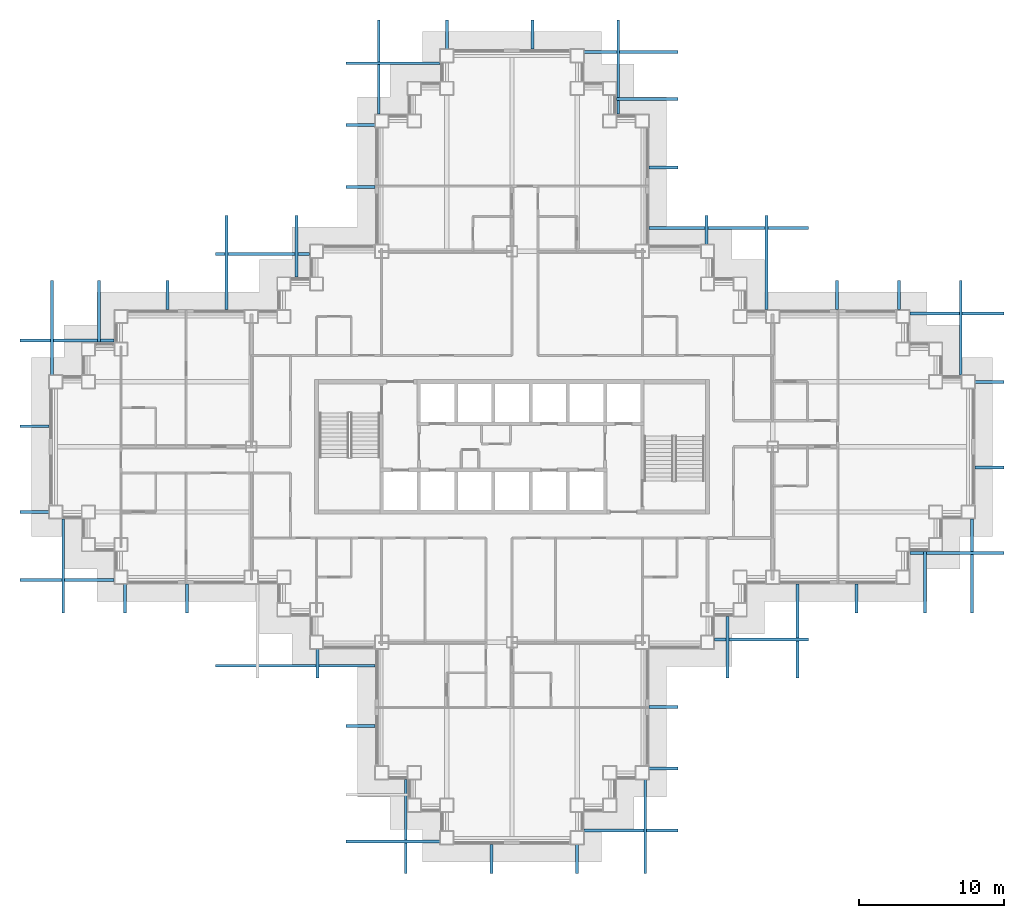
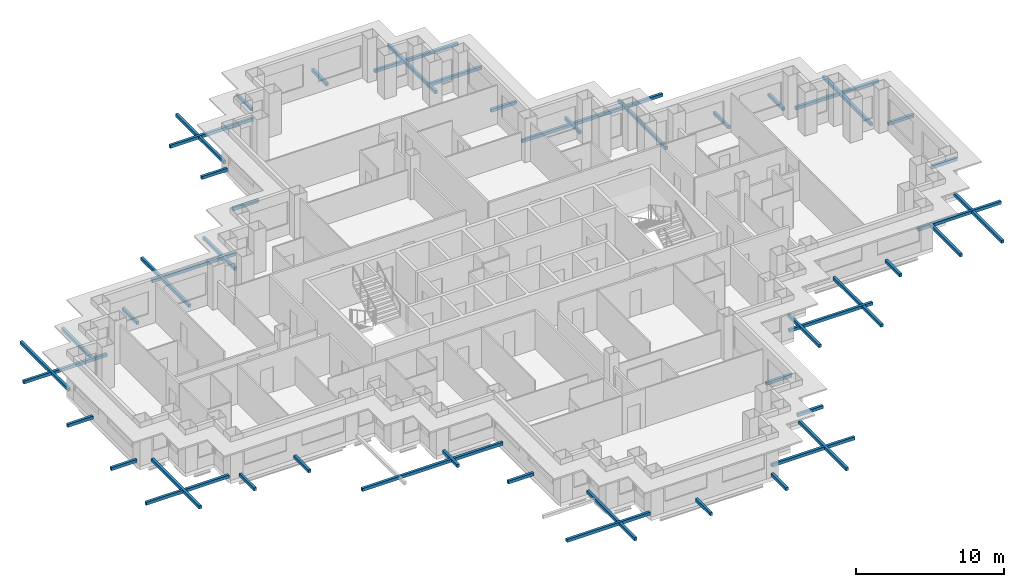
# One storey, part 10 of 15: 50 discrete accessories.
"""IFC4 building model written with IfcOpenShell, lengths in metres."""

from ifc_helpers import new_model, si_unit, direction, frame, origin, origin_2d, place, context, subcontext, project, spatial, rectangle, extrude, material, type_object, element, save


model = new_model("IFC4")

# Units and contexts
model_context = context("Model", 3, precision=1e-05, world=origin(), true_north=direction((0.0, 1.0)))
body_context = subcontext(model_context, "Body", "Model", "MODEL_VIEW")
ifc_project = project(units=[si_unit("LENGTHUNIT", "METRE"), si_unit("AREAUNIT", "SQUARE_METRE"), si_unit("VOLUMEUNIT", "CUBIC_METRE"), si_unit("PLANEANGLEUNIT", "RADIAN"), si_unit("MASSUNIT", "GRAM", prefix="KILO")], contexts=[model_context])

# Site, building, storey
site_placement = place(None, origin())
site = spatial("IfcSite", under=ifc_project, at=site_placement, CompositionType="ELEMENT")
building_placement = place(site_placement, origin())
building = spatial("IfcBuilding", under=site, at=building_placement, Name="Caravel Reach Hotel and Residences", CompositionType="ELEMENT")
storey_placement = place(building_placement, frame((0.0, 0.0, 92.39990234375)))
storey = spatial("IfcBuildingStorey", under=building, at=storey_placement, Name="L22", CompositionType="ELEMENT", Elevation=92.39990234375)

# Discrete accessories
ifc_material = material(Name="Black powder-coated aluminium", Category="aluminium")
discrete_accessory_type = type_object("IfcDiscreteAccessoryType", Name="BR1 Screen bracket", PredefinedType="BRACKET", material=ifc_material)
discrete_accessory_1_placement = place(storey_placement, frame((21.02490234375, 7.711669921875, 0.10009765625), z_axis=(0.0, 0.0, 1.0), x_axis=(-1.0, 0.0, 0.0)))
element("IfcDiscreteAccessory", 1, at=discrete_accessory_1_placement, inside=storey, type_object=discrete_accessory_type, Name="Screen bracket L22 1.1.2", PredefinedType="BRACKET", context=body_context, shape_type="SweptSolid", body=[
    extrude(rectangle(XDim=2.0, YDim=0.199951171875, at=origin_2d()), origin(), (0.0, 0.0, 1.0), 0.25),
])
for number, where, z_axis, x_axis, name in (
    (2, (23.27490234375, -0.2548828125, 0.10009765625), (0.0, 0.0, 1.0), (-1.0, 0.0, 0.0), "Screen bracket L22 1.3.2"),
    (3, (24.163818359375, 0.77490234375, 0.10009765625), (0.0, 0.0, 1.0), (0.0, -1.0, 0.0), "Screen bracket L22 2.1.2"),
):
    element("IfcDiscreteAccessory", number, at=place(storey_placement, frame(where, z_axis=z_axis, x_axis=x_axis)), inside=storey, type_object=discrete_accessory_type, Name=name, PredefinedType="BRACKET", context=body_context, shape_type="SweptSolid", body=[
        extrude(rectangle(XDim=6.5, YDim=0.199951171875, at=origin_2d()), origin(), (0.0, 0.0, 1.0), 0.25),
    ])
for number, where, z_axis, x_axis, name in (
    (4, (30.076171875, -1.47509765625, 0.10009765625), (0.0, 0.0, 1.0), (0.0, -1.0, 0.0), "Screen bracket L22 2.2.2"),
    (5, (35.98876953125, -1.47509765625, 0.10009765625), (0.0, 0.0, 1.0), (0.0, -1.0, 0.0), "Screen bracket L22 2.3.2"),
):
    element("IfcDiscreteAccessory", number, at=place(storey_placement, frame(where, z_axis=z_axis, x_axis=x_axis)), inside=storey, type_object=discrete_accessory_type, Name=name, PredefinedType="BRACKET", context=body_context, shape_type="SweptSolid", body=[
        extrude(rectangle(XDim=2.0, YDim=0.199951171875, at=origin_2d()), origin(), (0.0, 0.0, 1.0), 0.25),
    ])
for number, where, z_axis, x_axis, name in (
    (6, (40.701171875, 0.77490234375, 0.10009765625), (0.0, 0.0, 1.0), (0.0, -1.0, 0.0), "Screen bracket L22 2.4.2"),
    (7, (39.72509765625, 0.51171875, 0.10009765625), (0.0, 0.0, 1.0), (1.0, 0.0, 0.0), "Screen bracket L22 3.1.2"),
):
    element("IfcDiscreteAccessory", number, at=place(storey_placement, frame(where, z_axis=z_axis, x_axis=x_axis)), inside=storey, type_object=discrete_accessory_type, Name=name, PredefinedType="BRACKET", context=body_context, shape_type="SweptSolid", body=[
        extrude(rectangle(XDim=6.5, YDim=0.199951171875, at=origin_2d()), origin(), (0.0, 0.0, 1.0), 0.25),
    ])
for number, where, z_axis, x_axis, name in (
    (8, (41.97509765625, 4.7783203125, 0.10009765625), (0.0, 0.0, 1.0), (1.0, 0.0, 0.0), "Screen bracket L22 3.2.2"),
    (9, (41.97509765625, 9.044921875, 0.10009765625), (0.0, 0.0, 1.0), (1.0, 0.0, 0.0), "Screen bracket L22 3.3.2"),
):
    element("IfcDiscreteAccessory", number, at=place(storey_placement, frame(where, z_axis=z_axis, x_axis=x_axis)), inside=storey, type_object=discrete_accessory_type, Name=name, PredefinedType="BRACKET", context=body_context, shape_type="SweptSolid", body=[
        extrude(rectangle(XDim=2.0, YDim=0.199951171875, at=origin_2d()), origin(), (0.0, 0.0, 1.0), 0.25),
    ])
discrete_accessory_2_placement = place(storey_placement, frame((46.3701171875, 13.14990234375, 0.10009765625), z_axis=(0.0, 0.0, 1.0), x_axis=(0.0, -1.0, 0.0)))
element("IfcDiscreteAccessory", 10, at=discrete_accessory_2_placement, inside=storey, type_object=discrete_accessory_type, Name="Screen bracket L22 4.1.2", PredefinedType="BRACKET", context=body_context, shape_type="SweptSolid", body=[
    extrude(rectangle(XDim=4.25, YDim=0.199951171875, at=origin_2d()), origin(), (0.0, 0.0, 1.0), 0.25),
])
for number, where, z_axis, x_axis, name in (
    (11, (51.219970703125, 14.27490234375, 0.10009765625), (0.0, 0.0, 1.0), (0.0, -1.0, 0.0), "Screen bracket L22 4.2.2"),
    (12, (48.72509765625, 13.68505859375, 0.10009765625), (0.0, 0.0, 1.0), (1.0, 0.0, 0.0), "Screen bracket L22 5.1.2"),
):
    element("IfcDiscreteAccessory", number, at=place(storey_placement, frame(where, z_axis=z_axis, x_axis=x_axis)), inside=storey, type_object=discrete_accessory_type, Name=name, PredefinedType="BRACKET", context=body_context, shape_type="SweptSolid", body=[
        extrude(rectangle(XDim=6.5, YDim=0.199951171875, at=origin_2d()), origin(), (0.0, 0.0, 1.0), 0.25),
    ])
discrete_accessory_3_placement = place(storey_placement, frame((55.288330078125, 16.52490234375, 0.10009765625), z_axis=(0.0, 0.0, 1.0), x_axis=(0.0, -1.0, 0.0)))
element("IfcDiscreteAccessory", 13, at=discrete_accessory_3_placement, inside=storey, type_object=discrete_accessory_type, Name="Screen bracket L22 6.1.2", PredefinedType="BRACKET", context=body_context, shape_type="SweptSolid", body=[
    extrude(rectangle(XDim=2.0, YDim=0.199951171875, at=origin_2d()), origin(), (0.0, 0.0, 1.0), 0.25),
])
discrete_accessory_4_placement = place(storey_placement, frame((60.021728515625, 17.64990234375, 0.10009765625), z_axis=(0.0, 0.0, 1.0), x_axis=(0.0, -1.0, 0.0)))
element("IfcDiscreteAccessory", 14, at=discrete_accessory_4_placement, inside=storey, type_object=discrete_accessory_type, Name="Screen bracket L22 6.2.2", PredefinedType="BRACKET", context=body_context, shape_type="SweptSolid", body=[
    extrude(rectangle(XDim=4.25, YDim=0.199951171875, at=origin_2d()), origin(), (0.0, 0.0, 1.0), 0.25),
])
for number, where, z_axis, x_axis, name in (
    (15, (63.2548828125, 18.77490234375, 0.10009765625), (0.0, 0.0, 1.0), (0.0, -1.0, 0.0), "Screen bracket L22 6.3.2"),
    (16, (62.22509765625, 19.663818359375, 0.10009765625), (0.0, 0.0, 1.0), (1.0, 0.0, 0.0), "Screen bracket L22 7.1.2"),
):
    element("IfcDiscreteAccessory", number, at=place(storey_placement, frame(where, z_axis=z_axis, x_axis=x_axis)), inside=storey, type_object=discrete_accessory_type, Name=name, PredefinedType="BRACKET", context=body_context, shape_type="SweptSolid", body=[
        extrude(rectangle(XDim=6.5, YDim=0.199951171875, at=origin_2d()), origin(), (0.0, 0.0, 1.0), 0.25),
    ])
for number, where, z_axis, x_axis, name in (
    (17, (64.47509765625, 25.576171875, 0.10009765625), (0.0, 0.0, 1.0), (1.0, 0.0, 0.0), "Screen bracket L22 7.2.2"),
    (18, (64.47509765625, 31.48876953125, 0.10009765625), (0.0, 0.0, 1.0), (1.0, 0.0, 0.0), "Screen bracket L22 7.3.2"),
):
    element("IfcDiscreteAccessory", number, at=place(storey_placement, frame(where, z_axis=z_axis, x_axis=x_axis)), inside=storey, type_object=discrete_accessory_type, Name=name, PredefinedType="BRACKET", context=body_context, shape_type="SweptSolid", body=[
        extrude(rectangle(XDim=2.0, YDim=0.199951171875, at=origin_2d()), origin(), (0.0, 0.0, 1.0), 0.25),
    ])
for number, where, z_axis, x_axis, name in (
    (19, (62.22509765625, 36.201171875, 0.10009765625), (0.0, 0.0, 1.0), (1.0, 0.0, 0.0), "Screen bracket L22 7.4.2"),
    (20, (62.48828125, 35.22509765625, 0.10009765625), (0.0, 0.0, 1.0), (0.0, 1.0, 0.0), "Screen bracket L22 8.1.2"),
):
    element("IfcDiscreteAccessory", number, at=place(storey_placement, frame(where, z_axis=z_axis, x_axis=x_axis)), inside=storey, type_object=discrete_accessory_type, Name=name, PredefinedType="BRACKET", context=body_context, shape_type="SweptSolid", body=[
        extrude(rectangle(XDim=6.5, YDim=0.199951171875, at=origin_2d()), origin(), (0.0, 0.0, 1.0), 0.25),
    ])
for number, where, z_axis, x_axis, name in (
    (21, (58.2216796875, 37.47509765625, 0.10009765625), (0.0, 0.0, 1.0), (0.0, 1.0, 0.0), "Screen bracket L22 8.2.2"),
    (22, (53.955078125, 37.47509765625, 0.10009765625), (0.0, 0.0, 1.0), (0.0, 1.0, 0.0), "Screen bracket L22 8.3.2"),
):
    element("IfcDiscreteAccessory", number, at=place(storey_placement, frame(where, z_axis=z_axis, x_axis=x_axis)), inside=storey, type_object=discrete_accessory_type, Name=name, PredefinedType="BRACKET", context=body_context, shape_type="SweptSolid", body=[
        extrude(rectangle(XDim=2.0, YDim=0.199951171875, at=origin_2d()), origin(), (0.0, 0.0, 1.0), 0.25),
    ])
discrete_accessory_5_placement = place(storey_placement, frame((46.47509765625, 42.114990234375, 0.10009765625), z_axis=(0.0, 0.0, 1.0), x_axis=(1.0, 0.0, 0.0)))
element("IfcDiscreteAccessory", 23, at=discrete_accessory_5_placement, inside=storey, type_object=discrete_accessory_type, Name="Screen bracket L22 9.1.2", PredefinedType="BRACKET", context=body_context, shape_type="SweptSolid", body=[
    extrude(rectangle(XDim=11.0, YDim=0.199951171875, at=origin_2d()), origin(), (0.0, 0.0, 1.0), 0.25),
])
discrete_accessory_6_placement = place(storey_placement, frame((49.070068359375, 39.72509765625, 0.10009765625), z_axis=(0.0, 0.0, 1.0), x_axis=(0.0, 1.0, 0.0)))
element("IfcDiscreteAccessory", 24, at=discrete_accessory_6_placement, inside=storey, type_object=discrete_accessory_type, Name="Screen bracket L22 10.1.2", PredefinedType="BRACKET", context=body_context, shape_type="SweptSolid", body=[
    extrude(rectangle(XDim=6.5, YDim=0.199951171875, at=origin_2d()), origin(), (0.0, 0.0, 1.0), 0.25),
])
for number, where, z_axis, x_axis, name in (
    (25, (44.919921875, 41.97509765625, 0.10009765625), (0.0, 0.0, 1.0), (0.0, 1.0, 0.0), "Screen bracket L22 10.2.2"),
    (26, (41.97509765625, 46.288330078125, 0.10009765625), (0.0, 0.0, 1.0), (1.0, 0.0, 0.0), "Screen bracket L22 11.1.2"),
):
    element("IfcDiscreteAccessory", number, at=place(storey_placement, frame(where, z_axis=z_axis, x_axis=x_axis)), inside=storey, type_object=discrete_accessory_type, Name=name, PredefinedType="BRACKET", context=body_context, shape_type="SweptSolid", body=[
        extrude(rectangle(XDim=2.0, YDim=0.199951171875, at=origin_2d()), origin(), (0.0, 0.0, 1.0), 0.25),
    ])
discrete_accessory_7_placement = place(storey_placement, frame((40.85009765625, 51.021728515625, 0.10009765625), z_axis=(0.0, 0.0, 1.0), x_axis=(1.0, 0.0, 0.0)))
element("IfcDiscreteAccessory", 27, at=discrete_accessory_7_placement, inside=storey, type_object=discrete_accessory_type, Name="Screen bracket L22 11.2.2", PredefinedType="BRACKET", context=body_context, shape_type="SweptSolid", body=[
    extrude(rectangle(XDim=4.25, YDim=0.199951171875, at=origin_2d()), origin(), (0.0, 0.0, 1.0), 0.25),
])
for number, where, z_axis, x_axis, name in (
    (28, (39.72509765625, 54.2548828125, 0.10009765625), (0.0, 0.0, 1.0), (1.0, 0.0, 0.0), "Screen bracket L22 11.3.2"),
    (29, (38.836181640625, 53.22509765625, 0.10009765625), (0.0, 0.0, 1.0), (0.0, 1.0, 0.0), "Screen bracket L22 12.1.2"),
):
    element("IfcDiscreteAccessory", number, at=place(storey_placement, frame(where, z_axis=z_axis, x_axis=x_axis)), inside=storey, type_object=discrete_accessory_type, Name=name, PredefinedType="BRACKET", context=body_context, shape_type="SweptSolid", body=[
        extrude(rectangle(XDim=6.5, YDim=0.199951171875, at=origin_2d()), origin(), (0.0, 0.0, 1.0), 0.25),
    ])
for number, where, z_axis, x_axis, name in (
    (30, (32.923828125, 55.47509765625, 0.10009765625), (0.0, 0.0, 1.0), (0.0, 1.0, 0.0), "Screen bracket L22 12.2.2"),
    (31, (27.01123046875, 55.47509765625, 0.10009765625), (0.0, 0.0, 1.0), (0.0, 1.0, 0.0), "Screen bracket L22 12.3.2"),
):
    element("IfcDiscreteAccessory", number, at=place(storey_placement, frame(where, z_axis=z_axis, x_axis=x_axis)), inside=storey, type_object=discrete_accessory_type, Name=name, PredefinedType="BRACKET", context=body_context, shape_type="SweptSolid", body=[
        extrude(rectangle(XDim=2.0, YDim=0.199951171875, at=origin_2d()), origin(), (0.0, 0.0, 1.0), 0.25),
    ])
for number, where, z_axis, x_axis, name in (
    (32, (22.298828125, 53.22509765625, 0.10009765625), (0.0, 0.0, 1.0), (0.0, 1.0, 0.0), "Screen bracket L22 12.4.2"),
    (33, (23.27490234375, 53.48828125, 0.10009765625), (0.0, 0.0, 1.0), (-1.0, 0.0, 0.0), "Screen bracket L22 13.1.2"),
):
    element("IfcDiscreteAccessory", number, at=place(storey_placement, frame(where, z_axis=z_axis, x_axis=x_axis)), inside=storey, type_object=discrete_accessory_type, Name=name, PredefinedType="BRACKET", context=body_context, shape_type="SweptSolid", body=[
        extrude(rectangle(XDim=6.5, YDim=0.199951171875, at=origin_2d()), origin(), (0.0, 0.0, 1.0), 0.25),
    ])
for number, where, z_axis, x_axis, name in (
    (34, (21.02490234375, 49.2216796875, 0.10009765625), (0.0, 0.0, 1.0), (-1.0, 0.0, 0.0), "Screen bracket L22 13.2.2"),
    (35, (21.02490234375, 44.955078125, 0.10009765625), (0.0, 0.0, 1.0), (-1.0, 0.0, 0.0), "Screen bracket L22 13.3.2"),
):
    element("IfcDiscreteAccessory", number, at=place(storey_placement, frame(where, z_axis=z_axis, x_axis=x_axis)), inside=storey, type_object=discrete_accessory_type, Name=name, PredefinedType="BRACKET", context=body_context, shape_type="SweptSolid", body=[
        extrude(rectangle(XDim=2.0, YDim=0.199951171875, at=origin_2d()), origin(), (0.0, 0.0, 1.0), 0.25),
    ])
discrete_accessory_8_placement = place(storey_placement, frame((16.6298828125, 40.85009765625, 0.10009765625), z_axis=(0.0, 0.0, 1.0), x_axis=(0.0, 1.0, 0.0)))
element("IfcDiscreteAccessory", 36, at=discrete_accessory_8_placement, inside=storey, type_object=discrete_accessory_type, Name="Screen bracket L22 14.1.2", PredefinedType="BRACKET", context=body_context, shape_type="SweptSolid", body=[
    extrude(rectangle(XDim=4.25, YDim=0.199951171875, at=origin_2d()), origin(), (0.0, 0.0, 1.0), 0.25),
])
for number, where, z_axis, x_axis, name in (
    (37, (11.780029296875, 39.72509765625, 0.10009765625), (0.0, 0.0, 1.0), (0.0, 1.0, 0.0), "Screen bracket L22 14.2.2"),
    (38, (14.27490234375, 40.31494140625, 0.10009765625), (0.0, 0.0, 1.0), (-1.0, 0.0, 0.0), "Screen bracket L22 15.1.2"),
):
    element("IfcDiscreteAccessory", number, at=place(storey_placement, frame(where, z_axis=z_axis, x_axis=x_axis)), inside=storey, type_object=discrete_accessory_type, Name=name, PredefinedType="BRACKET", context=body_context, shape_type="SweptSolid", body=[
        extrude(rectangle(XDim=6.5, YDim=0.199951171875, at=origin_2d()), origin(), (0.0, 0.0, 1.0), 0.25),
    ])
discrete_accessory_9_placement = place(storey_placement, frame((7.711669921875, 37.47509765625, 0.10009765625), z_axis=(0.0, 0.0, 1.0), x_axis=(0.0, 1.0, 0.0)))
element("IfcDiscreteAccessory", 39, at=discrete_accessory_9_placement, inside=storey, type_object=discrete_accessory_type, Name="Screen bracket L22 16.1.2", PredefinedType="BRACKET", context=body_context, shape_type="SweptSolid", body=[
    extrude(rectangle(XDim=2.0, YDim=0.199951171875, at=origin_2d()), origin(), (0.0, 0.0, 1.0), 0.25),
])
discrete_accessory_10_placement = place(storey_placement, frame((2.978271484375, 36.35009765625, 0.10009765625), z_axis=(0.0, 0.0, 1.0), x_axis=(0.0, 1.0, 0.0)))
element("IfcDiscreteAccessory", 40, at=discrete_accessory_10_placement, inside=storey, type_object=discrete_accessory_type, Name="Screen bracket L22 16.2.2", PredefinedType="BRACKET", context=body_context, shape_type="SweptSolid", body=[
    extrude(rectangle(XDim=4.25, YDim=0.199951171875, at=origin_2d()), origin(), (0.0, 0.0, 1.0), 0.25),
])
for number, where, z_axis, x_axis, name in (
    (41, (-0.2548828125, 35.22509765625, 0.10009765625), (0.0, 0.0, 1.0), (0.0, 1.0, 0.0), "Screen bracket L22 16.3.2"),
    (42, (0.77490234375, 34.336181640625, 0.10009765625), (0.0, 0.0, 1.0), (-1.0, 0.0, 0.0), "Screen bracket L22 17.1.2"),
):
    element("IfcDiscreteAccessory", number, at=place(storey_placement, frame(where, z_axis=z_axis, x_axis=x_axis)), inside=storey, type_object=discrete_accessory_type, Name=name, PredefinedType="BRACKET", context=body_context, shape_type="SweptSolid", body=[
        extrude(rectangle(XDim=6.5, YDim=0.199951171875, at=origin_2d()), origin(), (0.0, 0.0, 1.0), 0.25),
    ])
for number, where, z_axis, x_axis, name in (
    (43, (-1.47509765625, 28.423828125, 0.10009765625), (0.0, 0.0, 1.0), (-1.0, 0.0, 0.0), "Screen bracket L22 17.2.2"),
    (44, (-1.47509765625, 22.51123046875, 0.10009765625), (0.0, 0.0, 1.0), (-1.0, 0.0, 0.0), "Screen bracket L22 17.3.2"),
):
    element("IfcDiscreteAccessory", number, at=place(storey_placement, frame(where, z_axis=z_axis, x_axis=x_axis)), inside=storey, type_object=discrete_accessory_type, Name=name, PredefinedType="BRACKET", context=body_context, shape_type="SweptSolid", body=[
        extrude(rectangle(XDim=2.0, YDim=0.199951171875, at=origin_2d()), origin(), (0.0, 0.0, 1.0), 0.25),
    ])
for number, where, z_axis, x_axis, name in (
    (45, (0.77490234375, 17.798828125, 0.10009765625), (0.0, 0.0, 1.0), (-1.0, 0.0, 0.0), "Screen bracket L22 17.4.2"),
    (46, (0.51171875, 18.77490234375, 0.10009765625), (0.0, 0.0, 1.0), (0.0, -1.0, 0.0), "Screen bracket L22 18.1.2"),
):
    element("IfcDiscreteAccessory", number, at=place(storey_placement, frame(where, z_axis=z_axis, x_axis=x_axis)), inside=storey, type_object=discrete_accessory_type, Name=name, PredefinedType="BRACKET", context=body_context, shape_type="SweptSolid", body=[
        extrude(rectangle(XDim=6.5, YDim=0.199951171875, at=origin_2d()), origin(), (0.0, 0.0, 1.0), 0.25),
    ])
for number, where, z_axis, x_axis, name in (
    (47, (4.7783203125, 16.52490234375, 0.10009765625), (0.0, 0.0, 1.0), (0.0, -1.0, 0.0), "Screen bracket L22 18.2.2"),
    (48, (9.044921875, 16.52490234375, 0.10009765625), (0.0, 0.0, 1.0), (0.0, -1.0, 0.0), "Screen bracket L22 18.3.2"),
):
    element("IfcDiscreteAccessory", number, at=place(storey_placement, frame(where, z_axis=z_axis, x_axis=x_axis)), inside=storey, type_object=discrete_accessory_type, Name=name, PredefinedType="BRACKET", context=body_context, shape_type="SweptSolid", body=[
        extrude(rectangle(XDim=2.0, YDim=0.199951171875, at=origin_2d()), origin(), (0.0, 0.0, 1.0), 0.25),
    ])
discrete_accessory_11_placement = place(storey_placement, frame((16.52490234375, 11.885009765625, 0.10009765625), z_axis=(0.0, 0.0, 1.0), x_axis=(-1.0, 0.0, 0.0)))
element("IfcDiscreteAccessory", 49, at=discrete_accessory_11_placement, inside=storey, type_object=discrete_accessory_type, Name="Screen bracket L22 19.1.2", PredefinedType="BRACKET", context=body_context, shape_type="SweptSolid", body=[
    extrude(rectangle(XDim=11.0, YDim=0.199951171875, at=origin_2d()), origin(), (0.0, 0.0, 1.0), 0.25),
])
discrete_accessory_12_placement = place(storey_placement, frame((18.080078125, 12.02490234375, 0.10009765625), z_axis=(0.0, 0.0, 1.0), x_axis=(0.0, -1.0, 0.0)))
element("IfcDiscreteAccessory", 50, at=discrete_accessory_12_placement, inside=storey, type_object=discrete_accessory_type, Name="Screen bracket L22 20.2.2", PredefinedType="BRACKET", context=body_context, shape_type="SweptSolid", body=[
    extrude(rectangle(XDim=2.0, YDim=0.199951171875, at=origin_2d()), origin(), (0.0, 0.0, 1.0), 0.25),
])

save(model, "model.ifc")
